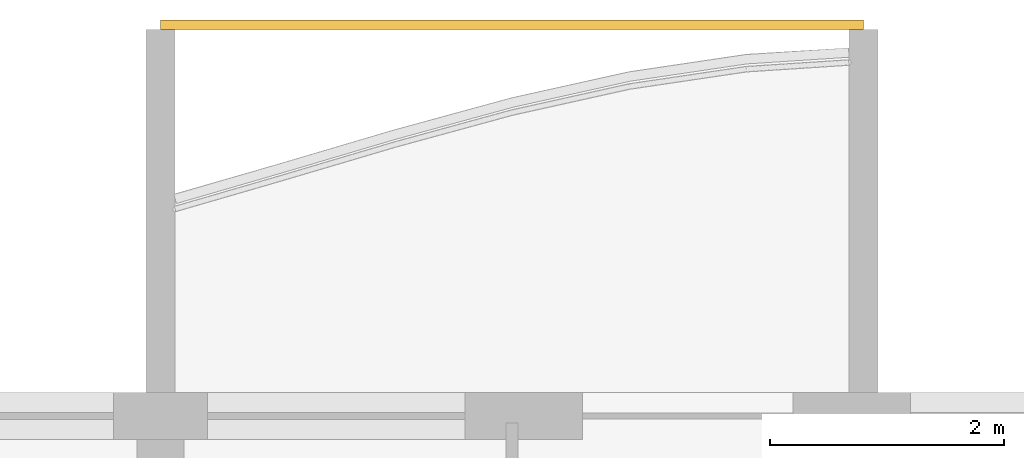
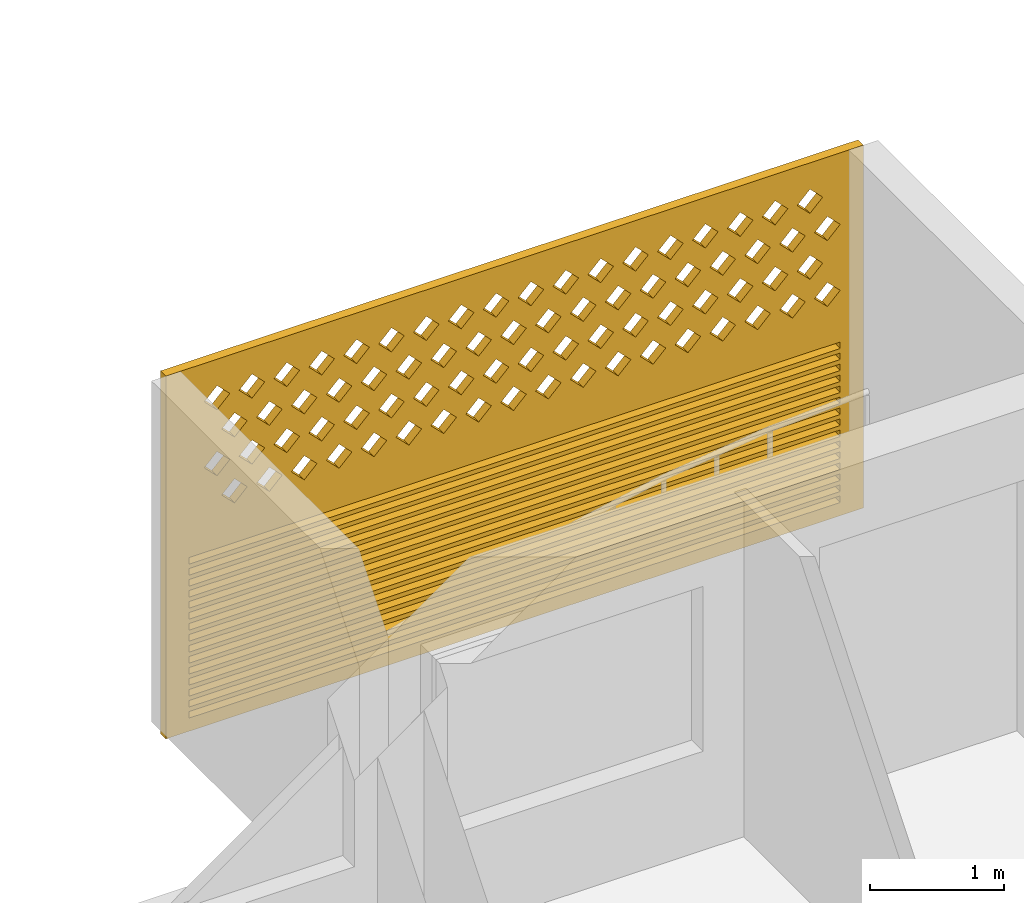
# One storey, part 29 of 38: 1 covering.
"""IFC4 building model written with IfcOpenShell, lengths in metres."""

from ifc_helpers import new_model, si_unit, direction, frame, origin, place, context, subcontext, project, spatial, polyline, outline, extrude, source, transform, mapped, material, material_profile, profile_set, type_object, element, save


model = new_model("IFC4")

# Units and contexts
model_context = context("Model", 3, precision=1e-05, world=origin(), true_north=direction((0.0, 1.0)))
body_context = subcontext(model_context, "Body", "Model", "MODEL_VIEW")
ifc_project = project(units=[si_unit("LENGTHUNIT", "METRE"), si_unit("AREAUNIT", "SQUARE_METRE"), si_unit("VOLUMEUNIT", "CUBIC_METRE"), si_unit("PLANEANGLEUNIT", "RADIAN"), si_unit("MASSUNIT", "GRAM", prefix="KILO")], contexts=[model_context])

# Site, building, storey
site_placement = place(None, origin())
site = spatial("IfcSite", under=ifc_project, at=site_placement, CompositionType="ELEMENT")
building_placement = place(site_placement, origin())
building = spatial("IfcBuilding", under=site, at=building_placement, Name="Poui Terraces", CompositionType="ELEMENT")
storey_placement = place(building_placement, frame((0.0, 0.0, 43.199951171875)))
storey = spatial("IfcBuildingStorey", under=building, at=storey_placement, Name="L11", CompositionType="ELEMENT", Elevation=43.199951171875)

# Covering
ifc_material = material(Name="Terracotta screen", Category="masonry")
ifc_material_profile = material_profile(ifc_material, outline(polyline([(-3.0, -1.64990234375), (3.0, -1.64990234375), (3.0, 1.64990234375), (-3.0, 1.64990234375), (-3.0, -1.64990234375)]), holes=[polyline([(-2.800048828125, 0.39990234375), (-2.68994140625, 0.2900390625), (-2.580078125, 0.39990234375), (-2.68994140625, 0.510009765625), (-2.800048828125, 0.39990234375)]), polyline([(-2.5, 0.39990234375), (-2.389892578125, 0.2900390625), (-2.280029296875, 0.39990234375), (-2.389892578125, 0.510009765625), (-2.5, 0.39990234375)]), polyline([(-2.199951171875, 0.39990234375), (-2.090087890625, 0.2900390625), (-1.97998046875, 0.39990234375), (-2.090087890625, 0.510009765625), (-2.199951171875, 0.39990234375)]), polyline([(-1.89990234375, 0.39990234375), (-1.7900390625, 0.2900390625), (-1.679931640625, 0.39990234375), (-1.7900390625, 0.510009765625), (-1.89990234375, 0.39990234375)]), polyline([(-1.60009765625, 0.39990234375), (-1.489990234375, 0.2900390625), (-1.3798828125, 0.39990234375), (-1.489990234375, 0.510009765625), (-1.60009765625, 0.39990234375)]), polyline([(-1.300048828125, 0.39990234375), (-1.18994140625, 0.2900390625), (-1.080078125, 0.39990234375), (-1.18994140625, 0.510009765625), (-1.300048828125, 0.39990234375)]), polyline([(-1.0, 0.39990234375), (-0.889892578125, 0.2900390625), (-0.780029296875, 0.39990234375), (-0.889892578125, 0.510009765625), (-1.0, 0.39990234375)]), polyline([(-0.699951171875, 0.39990234375), (-0.590087890625, 0.2900390625), (-0.47998046875, 0.39990234375), (-0.590087890625, 0.510009765625), (-0.699951171875, 0.39990234375)]), polyline([(-0.39990234375, 0.39990234375), (-0.2900390625, 0.2900390625), (-0.179931640625, 0.39990234375), (-0.2900390625, 0.510009765625), (-0.39990234375, 0.39990234375)]), polyline([(-0.10009765625, 0.39990234375), (0.010009765625, 0.2900390625), (0.1201171875, 0.39990234375), (0.010009765625, 0.510009765625), (-0.10009765625, 0.39990234375)]), polyline([(0.199951171875, 0.39990234375), (0.31005859375, 0.2900390625), (0.419921875, 0.39990234375), (0.31005859375, 0.510009765625), (0.199951171875, 0.39990234375)]), polyline([(0.5, 0.39990234375), (0.610107421875, 0.2900390625), (0.719970703125, 0.39990234375), (0.610107421875, 0.510009765625), (0.5, 0.39990234375)]), polyline([(0.800048828125, 0.39990234375), (0.909912109375, 0.2900390625), (1.02001953125, 0.39990234375), (0.909912109375, 0.510009765625), (0.800048828125, 0.39990234375)]), polyline([(1.10009765625, 0.39990234375), (1.2099609375, 0.2900390625), (1.320068359375, 0.39990234375), (1.2099609375, 0.510009765625), (1.10009765625, 0.39990234375)]), polyline([(1.39990234375, 0.39990234375), (1.510009765625, 0.2900390625), (1.6201171875, 0.39990234375), (1.510009765625, 0.510009765625), (1.39990234375, 0.39990234375)]), polyline([(1.699951171875, 0.39990234375), (1.81005859375, 0.2900390625), (1.919921875, 0.39990234375), (1.81005859375, 0.510009765625), (1.699951171875, 0.39990234375)]), polyline([(2.0, 0.39990234375), (2.110107421875, 0.2900390625), (2.219970703125, 0.39990234375), (2.110107421875, 0.510009765625), (2.0, 0.39990234375)]), polyline([(2.300048828125, 0.39990234375), (2.409912109375, 0.2900390625), (2.52001953125, 0.39990234375), (2.409912109375, 0.510009765625), (2.300048828125, 0.39990234375)]), polyline([(-2.64990234375, 0.699951171875), (-2.5400390625, 0.590087890625), (-2.429931640625, 0.699951171875), (-2.5400390625, 0.81005859375), (-2.64990234375, 0.699951171875)]), polyline([(-2.35009765625, 0.699951171875), (-2.239990234375, 0.590087890625), (-2.1298828125, 0.699951171875), (-2.239990234375, 0.81005859375), (-2.35009765625, 0.699951171875)]), polyline([(-2.050048828125, 0.699951171875), (-1.93994140625, 0.590087890625), (-1.830078125, 0.699951171875), (-1.93994140625, 0.81005859375), (-2.050048828125, 0.699951171875)]), polyline([(-1.75, 0.699951171875), (-1.639892578125, 0.590087890625), (-1.530029296875, 0.699951171875), (-1.639892578125, 0.81005859375), (-1.75, 0.699951171875)]), polyline([(-1.449951171875, 0.699951171875), (-1.340087890625, 0.590087890625), (-1.22998046875, 0.699951171875), (-1.340087890625, 0.81005859375), (-1.449951171875, 0.699951171875)]), polyline([(-1.14990234375, 0.699951171875), (-1.0400390625, 0.590087890625), (-0.929931640625, 0.699951171875), (-1.0400390625, 0.81005859375), (-1.14990234375, 0.699951171875)]), polyline([(-0.85009765625, 0.699951171875), (-0.739990234375, 0.590087890625), (-0.6298828125, 0.699951171875), (-0.739990234375, 0.81005859375), (-0.85009765625, 0.699951171875)]), polyline([(-0.550048828125, 0.699951171875), (-0.43994140625, 0.590087890625), (-0.330078125, 0.699951171875), (-0.43994140625, 0.81005859375), (-0.550048828125, 0.699951171875)]), polyline([(-0.25, 0.699951171875), (-0.139892578125, 0.590087890625), (-0.030029296875, 0.699951171875), (-0.139892578125, 0.81005859375), (-0.25, 0.699951171875)]), polyline([(0.050048828125, 0.699951171875), (0.159912109375, 0.590087890625), (0.27001953125, 0.699951171875), (0.159912109375, 0.81005859375), (0.050048828125, 0.699951171875)]), polyline([(0.35009765625, 0.699951171875), (0.4599609375, 0.590087890625), (0.570068359375, 0.699951171875), (0.4599609375, 0.81005859375), (0.35009765625, 0.699951171875)]), polyline([(0.64990234375, 0.699951171875), (0.760009765625, 0.590087890625), (0.8701171875, 0.699951171875), (0.760009765625, 0.81005859375), (0.64990234375, 0.699951171875)]), polyline([(0.949951171875, 0.699951171875), (1.06005859375, 0.590087890625), (1.169921875, 0.699951171875), (1.06005859375, 0.81005859375), (0.949951171875, 0.699951171875)]), polyline([(1.25, 0.699951171875), (1.360107421875, 0.590087890625), (1.469970703125, 0.699951171875), (1.360107421875, 0.81005859375), (1.25, 0.699951171875)]), polyline([(1.550048828125, 0.699951171875), (1.659912109375, 0.590087890625), (1.77001953125, 0.699951171875), (1.659912109375, 0.81005859375), (1.550048828125, 0.699951171875)]), polyline([(1.85009765625, 0.699951171875), (1.9599609375, 0.590087890625), (2.070068359375, 0.699951171875), (1.9599609375, 0.81005859375), (1.85009765625, 0.699951171875)]), polyline([(2.14990234375, 0.699951171875), (2.260009765625, 0.590087890625), (2.3701171875, 0.699951171875), (2.260009765625, 0.81005859375), (2.14990234375, 0.699951171875)]), polyline([(2.449951171875, 0.699951171875), (2.56005859375, 0.590087890625), (2.669921875, 0.699951171875), (2.56005859375, 0.81005859375), (2.449951171875, 0.699951171875)]), polyline([(-2.800048828125, 1.0), (-2.68994140625, 0.889892578125), (-2.580078125, 1.0), (-2.68994140625, 1.110107421875), (-2.800048828125, 1.0)]), polyline([(-2.5, 1.0), (-2.389892578125, 0.889892578125), (-2.280029296875, 1.0), (-2.389892578125, 1.110107421875), (-2.5, 1.0)]), polyline([(-2.199951171875, 1.0), (-2.090087890625, 0.889892578125), (-1.97998046875, 1.0), (-2.090087890625, 1.110107421875), (-2.199951171875, 1.0)]), polyline([(-1.89990234375, 1.0), (-1.7900390625, 0.889892578125), (-1.679931640625, 1.0), (-1.7900390625, 1.110107421875), (-1.89990234375, 1.0)]), polyline([(-1.60009765625, 1.0), (-1.489990234375, 0.889892578125), (-1.3798828125, 1.0), (-1.489990234375, 1.110107421875), (-1.60009765625, 1.0)]), polyline([(-1.300048828125, 1.0), (-1.18994140625, 0.889892578125), (-1.080078125, 1.0), (-1.18994140625, 1.110107421875), (-1.300048828125, 1.0)]), polyline([(-1.0, 1.0), (-0.889892578125, 0.889892578125), (-0.780029296875, 1.0), (-0.889892578125, 1.110107421875), (-1.0, 1.0)]), polyline([(-0.699951171875, 1.0), (-0.590087890625, 0.889892578125), (-0.47998046875, 1.0), (-0.590087890625, 1.110107421875), (-0.699951171875, 1.0)]), polyline([(-0.39990234375, 1.0), (-0.2900390625, 0.889892578125), (-0.179931640625, 1.0), (-0.2900390625, 1.110107421875), (-0.39990234375, 1.0)]), polyline([(-0.10009765625, 1.0), (0.010009765625, 0.889892578125), (0.1201171875, 1.0), (0.010009765625, 1.110107421875), (-0.10009765625, 1.0)]), polyline([(0.199951171875, 1.0), (0.31005859375, 0.889892578125), (0.419921875, 1.0), (0.31005859375, 1.110107421875), (0.199951171875, 1.0)]), polyline([(0.5, 1.0), (0.610107421875, 0.889892578125), (0.719970703125, 1.0), (0.610107421875, 1.110107421875), (0.5, 1.0)]), polyline([(0.800048828125, 1.0), (0.909912109375, 0.889892578125), (1.02001953125, 1.0), (0.909912109375, 1.110107421875), (0.800048828125, 1.0)]), polyline([(1.10009765625, 1.0), (1.2099609375, 0.889892578125), (1.320068359375, 1.0), (1.2099609375, 1.110107421875), (1.10009765625, 1.0)]), polyline([(1.39990234375, 1.0), (1.510009765625, 0.889892578125), (1.6201171875, 1.0), (1.510009765625, 1.110107421875), (1.39990234375, 1.0)]), polyline([(1.699951171875, 1.0), (1.81005859375, 0.889892578125), (1.919921875, 1.0), (1.81005859375, 1.110107421875), (1.699951171875, 1.0)]), polyline([(2.0, 1.0), (2.110107421875, 0.889892578125), (2.219970703125, 1.0), (2.110107421875, 1.110107421875), (2.0, 1.0)]), polyline([(2.300048828125, 1.0), (2.409912109375, 0.889892578125), (2.52001953125, 1.0), (2.409912109375, 1.110107421875), (2.300048828125, 1.0)]), polyline([(-2.64990234375, 1.300048828125), (-2.5400390625, 1.18994140625), (-2.429931640625, 1.300048828125), (-2.5400390625, 1.409912109375), (-2.64990234375, 1.300048828125)]), polyline([(-2.35009765625, 1.300048828125), (-2.239990234375, 1.18994140625), (-2.1298828125, 1.300048828125), (-2.239990234375, 1.409912109375), (-2.35009765625, 1.300048828125)]), polyline([(-2.050048828125, 1.300048828125), (-1.93994140625, 1.18994140625), (-1.830078125, 1.300048828125), (-1.93994140625, 1.409912109375), (-2.050048828125, 1.300048828125)]), polyline([(-1.75, 1.300048828125), (-1.639892578125, 1.18994140625), (-1.530029296875, 1.300048828125), (-1.639892578125, 1.409912109375), (-1.75, 1.300048828125)]), polyline([(-1.449951171875, 1.300048828125), (-1.340087890625, 1.18994140625), (-1.22998046875, 1.300048828125), (-1.340087890625, 1.409912109375), (-1.449951171875, 1.300048828125)]), polyline([(-1.14990234375, 1.300048828125), (-1.0400390625, 1.18994140625), (-0.929931640625, 1.300048828125), (-1.0400390625, 1.409912109375), (-1.14990234375, 1.300048828125)]), polyline([(-0.85009765625, 1.300048828125), (-0.739990234375, 1.18994140625), (-0.6298828125, 1.300048828125), (-0.739990234375, 1.409912109375), (-0.85009765625, 1.300048828125)]), polyline([(-0.550048828125, 1.300048828125), (-0.43994140625, 1.18994140625), (-0.330078125, 1.300048828125), (-0.43994140625, 1.409912109375), (-0.550048828125, 1.300048828125)]), polyline([(-0.25, 1.300048828125), (-0.139892578125, 1.18994140625), (-0.030029296875, 1.300048828125), (-0.139892578125, 1.409912109375), (-0.25, 1.300048828125)]), polyline([(0.050048828125, 1.300048828125), (0.159912109375, 1.18994140625), (0.27001953125, 1.300048828125), (0.159912109375, 1.409912109375), (0.050048828125, 1.300048828125)]), polyline([(0.35009765625, 1.300048828125), (0.4599609375, 1.18994140625), (0.570068359375, 1.300048828125), (0.4599609375, 1.409912109375), (0.35009765625, 1.300048828125)]), polyline([(0.64990234375, 1.300048828125), (0.760009765625, 1.18994140625), (0.8701171875, 1.300048828125), (0.760009765625, 1.409912109375), (0.64990234375, 1.300048828125)]), polyline([(0.949951171875, 1.300048828125), (1.06005859375, 1.18994140625), (1.169921875, 1.300048828125), (1.06005859375, 1.409912109375), (0.949951171875, 1.300048828125)]), polyline([(1.25, 1.300048828125), (1.360107421875, 1.18994140625), (1.469970703125, 1.300048828125), (1.360107421875, 1.409912109375), (1.25, 1.300048828125)]), polyline([(1.550048828125, 1.300048828125), (1.659912109375, 1.18994140625), (1.77001953125, 1.300048828125), (1.659912109375, 1.409912109375), (1.550048828125, 1.300048828125)]), polyline([(1.85009765625, 1.300048828125), (1.9599609375, 1.18994140625), (2.070068359375, 1.300048828125), (1.9599609375, 1.409912109375), (1.85009765625, 1.300048828125)]), polyline([(2.14990234375, 1.300048828125), (2.260009765625, 1.18994140625), (2.3701171875, 1.300048828125), (2.260009765625, 1.409912109375), (2.14990234375, 1.300048828125)]), polyline([(2.449951171875, 1.300048828125), (2.56005859375, 1.18994140625), (2.669921875, 1.300048828125), (2.56005859375, 1.409912109375), (2.449951171875, 1.300048828125)]), polyline([(-2.800048828125, -1.530029296875), (2.800048828125, -1.530029296875), (2.800048828125, -1.469970703125), (-2.800048828125, -1.469970703125), (-2.800048828125, -1.530029296875)]), polyline([(-2.800048828125, -1.429931640625), (2.800048828125, -1.429931640625), (2.800048828125, -1.3701171875), (-2.800048828125, -1.3701171875), (-2.800048828125, -1.429931640625)]), polyline([(-2.800048828125, -1.330078125), (2.800048828125, -1.330078125), (2.800048828125, -1.27001953125), (-2.800048828125, -1.27001953125), (-2.800048828125, -1.330078125)]), polyline([(-2.800048828125, -1.22998046875), (2.800048828125, -1.22998046875), (2.800048828125, -1.169921875), (-2.800048828125, -1.169921875), (-2.800048828125, -1.22998046875)]), polyline([(-2.800048828125, -1.1298828125), (2.800048828125, -1.1298828125), (2.800048828125, -1.070068359375), (-2.800048828125, -1.070068359375), (-2.800048828125, -1.1298828125)]), polyline([(-2.800048828125, -1.030029296875), (2.800048828125, -1.030029296875), (2.800048828125, -0.969970703125), (-2.800048828125, -0.969970703125), (-2.800048828125, -1.030029296875)]), polyline([(-2.800048828125, -0.929931640625), (2.800048828125, -0.929931640625), (2.800048828125, -0.8701171875), (-2.800048828125, -0.8701171875), (-2.800048828125, -0.929931640625)]), polyline([(-2.800048828125, -0.830078125), (2.800048828125, -0.830078125), (2.800048828125, -0.77001953125), (-2.800048828125, -0.77001953125), (-2.800048828125, -0.830078125)]), polyline([(-2.800048828125, -0.72998046875), (2.800048828125, -0.72998046875), (2.800048828125, -0.669921875), (-2.800048828125, -0.669921875), (-2.800048828125, -0.72998046875)]), polyline([(-2.800048828125, -0.6298828125), (2.800048828125, -0.6298828125), (2.800048828125, -0.570068359375), (-2.800048828125, -0.570068359375), (-2.800048828125, -0.6298828125)]), polyline([(-2.800048828125, -0.530029296875), (2.800048828125, -0.530029296875), (2.800048828125, -0.469970703125), (-2.800048828125, -0.469970703125), (-2.800048828125, -0.530029296875)]), polyline([(-2.800048828125, -0.429931640625), (2.800048828125, -0.429931640625), (2.800048828125, -0.3701171875), (-2.800048828125, -0.3701171875), (-2.800048828125, -0.429931640625)]), polyline([(-2.800048828125, -0.330078125), (2.800048828125, -0.330078125), (2.800048828125, -0.27001953125), (-2.800048828125, -0.27001953125), (-2.800048828125, -0.330078125)]), polyline([(-2.800048828125, -0.22998046875), (2.800048828125, -0.22998046875), (2.800048828125, -0.169921875), (-2.800048828125, -0.169921875), (-2.800048828125, -0.22998046875)]), polyline([(-2.800048828125, -0.1298828125), (2.800048828125, -0.1298828125), (2.800048828125, -0.070068359375), (-2.800048828125, -0.070068359375), (-2.800048828125, -0.1298828125)])]), Name="TERRACOTTA SCREEN AND JALOUSIE LOUVRE 6000X3300")
ifc_profile_set = profile_set([ifc_material_profile], Name="Terracotta screen")
covering_type = type_object("IfcCoveringType", Name="TERRACOTTA SCREEN AND JALOUSIE LOUVRE 6000X3300", PredefinedType="CLADDING", material=ifc_profile_set)
shared_shape = source(origin(), body_context, "Body", "SweptSolid", [
    extrude(outline(polyline([(-3.0, -1.64990234375), (3.0, -1.64990234375), (3.0, 1.64990234375), (-3.0, 1.64990234375), (-3.0, -1.64990234375)]), holes=[polyline([(-2.800048828125, 0.39990234375), (-2.68994140625, 0.2900390625), (-2.580078125, 0.39990234375), (-2.68994140625, 0.510009765625), (-2.800048828125, 0.39990234375)]), polyline([(-2.5, 0.39990234375), (-2.389892578125, 0.2900390625), (-2.280029296875, 0.39990234375), (-2.389892578125, 0.510009765625), (-2.5, 0.39990234375)]), polyline([(-2.199951171875, 0.39990234375), (-2.090087890625, 0.2900390625), (-1.97998046875, 0.39990234375), (-2.090087890625, 0.510009765625), (-2.199951171875, 0.39990234375)]), polyline([(-1.89990234375, 0.39990234375), (-1.7900390625, 0.2900390625), (-1.679931640625, 0.39990234375), (-1.7900390625, 0.510009765625), (-1.89990234375, 0.39990234375)]), polyline([(-1.60009765625, 0.39990234375), (-1.489990234375, 0.2900390625), (-1.3798828125, 0.39990234375), (-1.489990234375, 0.510009765625), (-1.60009765625, 0.39990234375)]), polyline([(-1.300048828125, 0.39990234375), (-1.18994140625, 0.2900390625), (-1.080078125, 0.39990234375), (-1.18994140625, 0.510009765625), (-1.300048828125, 0.39990234375)]), polyline([(-1.0, 0.39990234375), (-0.889892578125, 0.2900390625), (-0.780029296875, 0.39990234375), (-0.889892578125, 0.510009765625), (-1.0, 0.39990234375)]), polyline([(-0.699951171875, 0.39990234375), (-0.590087890625, 0.2900390625), (-0.47998046875, 0.39990234375), (-0.590087890625, 0.510009765625), (-0.699951171875, 0.39990234375)]), polyline([(-0.39990234375, 0.39990234375), (-0.2900390625, 0.2900390625), (-0.179931640625, 0.39990234375), (-0.2900390625, 0.510009765625), (-0.39990234375, 0.39990234375)]), polyline([(-0.10009765625, 0.39990234375), (0.010009765625, 0.2900390625), (0.1201171875, 0.39990234375), (0.010009765625, 0.510009765625), (-0.10009765625, 0.39990234375)]), polyline([(0.199951171875, 0.39990234375), (0.31005859375, 0.2900390625), (0.419921875, 0.39990234375), (0.31005859375, 0.510009765625), (0.199951171875, 0.39990234375)]), polyline([(0.5, 0.39990234375), (0.610107421875, 0.2900390625), (0.719970703125, 0.39990234375), (0.610107421875, 0.510009765625), (0.5, 0.39990234375)]), polyline([(0.800048828125, 0.39990234375), (0.909912109375, 0.2900390625), (1.02001953125, 0.39990234375), (0.909912109375, 0.510009765625), (0.800048828125, 0.39990234375)]), polyline([(1.10009765625, 0.39990234375), (1.2099609375, 0.2900390625), (1.320068359375, 0.39990234375), (1.2099609375, 0.510009765625), (1.10009765625, 0.39990234375)]), polyline([(1.39990234375, 0.39990234375), (1.510009765625, 0.2900390625), (1.6201171875, 0.39990234375), (1.510009765625, 0.510009765625), (1.39990234375, 0.39990234375)]), polyline([(1.699951171875, 0.39990234375), (1.81005859375, 0.2900390625), (1.919921875, 0.39990234375), (1.81005859375, 0.510009765625), (1.699951171875, 0.39990234375)]), polyline([(2.0, 0.39990234375), (2.110107421875, 0.2900390625), (2.219970703125, 0.39990234375), (2.110107421875, 0.510009765625), (2.0, 0.39990234375)]), polyline([(2.300048828125, 0.39990234375), (2.409912109375, 0.2900390625), (2.52001953125, 0.39990234375), (2.409912109375, 0.510009765625), (2.300048828125, 0.39990234375)]), polyline([(-2.64990234375, 0.699951171875), (-2.5400390625, 0.590087890625), (-2.429931640625, 0.699951171875), (-2.5400390625, 0.81005859375), (-2.64990234375, 0.699951171875)]), polyline([(-2.35009765625, 0.699951171875), (-2.239990234375, 0.590087890625), (-2.1298828125, 0.699951171875), (-2.239990234375, 0.81005859375), (-2.35009765625, 0.699951171875)]), polyline([(-2.050048828125, 0.699951171875), (-1.93994140625, 0.590087890625), (-1.830078125, 0.699951171875), (-1.93994140625, 0.81005859375), (-2.050048828125, 0.699951171875)]), polyline([(-1.75, 0.699951171875), (-1.639892578125, 0.590087890625), (-1.530029296875, 0.699951171875), (-1.639892578125, 0.81005859375), (-1.75, 0.699951171875)]), polyline([(-1.449951171875, 0.699951171875), (-1.340087890625, 0.590087890625), (-1.22998046875, 0.699951171875), (-1.340087890625, 0.81005859375), (-1.449951171875, 0.699951171875)]), polyline([(-1.14990234375, 0.699951171875), (-1.0400390625, 0.590087890625), (-0.929931640625, 0.699951171875), (-1.0400390625, 0.81005859375), (-1.14990234375, 0.699951171875)]), polyline([(-0.85009765625, 0.699951171875), (-0.739990234375, 0.590087890625), (-0.6298828125, 0.699951171875), (-0.739990234375, 0.81005859375), (-0.85009765625, 0.699951171875)]), polyline([(-0.550048828125, 0.699951171875), (-0.43994140625, 0.590087890625), (-0.330078125, 0.699951171875), (-0.43994140625, 0.81005859375), (-0.550048828125, 0.699951171875)]), polyline([(-0.25, 0.699951171875), (-0.139892578125, 0.590087890625), (-0.030029296875, 0.699951171875), (-0.139892578125, 0.81005859375), (-0.25, 0.699951171875)]), polyline([(0.050048828125, 0.699951171875), (0.159912109375, 0.590087890625), (0.27001953125, 0.699951171875), (0.159912109375, 0.81005859375), (0.050048828125, 0.699951171875)]), polyline([(0.35009765625, 0.699951171875), (0.4599609375, 0.590087890625), (0.570068359375, 0.699951171875), (0.4599609375, 0.81005859375), (0.35009765625, 0.699951171875)]), polyline([(0.64990234375, 0.699951171875), (0.760009765625, 0.590087890625), (0.8701171875, 0.699951171875), (0.760009765625, 0.81005859375), (0.64990234375, 0.699951171875)]), polyline([(0.949951171875, 0.699951171875), (1.06005859375, 0.590087890625), (1.169921875, 0.699951171875), (1.06005859375, 0.81005859375), (0.949951171875, 0.699951171875)]), polyline([(1.25, 0.699951171875), (1.360107421875, 0.590087890625), (1.469970703125, 0.699951171875), (1.360107421875, 0.81005859375), (1.25, 0.699951171875)]), polyline([(1.550048828125, 0.699951171875), (1.659912109375, 0.590087890625), (1.77001953125, 0.699951171875), (1.659912109375, 0.81005859375), (1.550048828125, 0.699951171875)]), polyline([(1.85009765625, 0.699951171875), (1.9599609375, 0.590087890625), (2.070068359375, 0.699951171875), (1.9599609375, 0.81005859375), (1.85009765625, 0.699951171875)]), polyline([(2.14990234375, 0.699951171875), (2.260009765625, 0.590087890625), (2.3701171875, 0.699951171875), (2.260009765625, 0.81005859375), (2.14990234375, 0.699951171875)]), polyline([(2.449951171875, 0.699951171875), (2.56005859375, 0.590087890625), (2.669921875, 0.699951171875), (2.56005859375, 0.81005859375), (2.449951171875, 0.699951171875)]), polyline([(-2.800048828125, 1.0), (-2.68994140625, 0.889892578125), (-2.580078125, 1.0), (-2.68994140625, 1.110107421875), (-2.800048828125, 1.0)]), polyline([(-2.5, 1.0), (-2.389892578125, 0.889892578125), (-2.280029296875, 1.0), (-2.389892578125, 1.110107421875), (-2.5, 1.0)]), polyline([(-2.199951171875, 1.0), (-2.090087890625, 0.889892578125), (-1.97998046875, 1.0), (-2.090087890625, 1.110107421875), (-2.199951171875, 1.0)]), polyline([(-1.89990234375, 1.0), (-1.7900390625, 0.889892578125), (-1.679931640625, 1.0), (-1.7900390625, 1.110107421875), (-1.89990234375, 1.0)]), polyline([(-1.60009765625, 1.0), (-1.489990234375, 0.889892578125), (-1.3798828125, 1.0), (-1.489990234375, 1.110107421875), (-1.60009765625, 1.0)]), polyline([(-1.300048828125, 1.0), (-1.18994140625, 0.889892578125), (-1.080078125, 1.0), (-1.18994140625, 1.110107421875), (-1.300048828125, 1.0)]), polyline([(-1.0, 1.0), (-0.889892578125, 0.889892578125), (-0.780029296875, 1.0), (-0.889892578125, 1.110107421875), (-1.0, 1.0)]), polyline([(-0.699951171875, 1.0), (-0.590087890625, 0.889892578125), (-0.47998046875, 1.0), (-0.590087890625, 1.110107421875), (-0.699951171875, 1.0)]), polyline([(-0.39990234375, 1.0), (-0.2900390625, 0.889892578125), (-0.179931640625, 1.0), (-0.2900390625, 1.110107421875), (-0.39990234375, 1.0)]), polyline([(-0.10009765625, 1.0), (0.010009765625, 0.889892578125), (0.1201171875, 1.0), (0.010009765625, 1.110107421875), (-0.10009765625, 1.0)]), polyline([(0.199951171875, 1.0), (0.31005859375, 0.889892578125), (0.419921875, 1.0), (0.31005859375, 1.110107421875), (0.199951171875, 1.0)]), polyline([(0.5, 1.0), (0.610107421875, 0.889892578125), (0.719970703125, 1.0), (0.610107421875, 1.110107421875), (0.5, 1.0)]), polyline([(0.800048828125, 1.0), (0.909912109375, 0.889892578125), (1.02001953125, 1.0), (0.909912109375, 1.110107421875), (0.800048828125, 1.0)]), polyline([(1.10009765625, 1.0), (1.2099609375, 0.889892578125), (1.320068359375, 1.0), (1.2099609375, 1.110107421875), (1.10009765625, 1.0)]), polyline([(1.39990234375, 1.0), (1.510009765625, 0.889892578125), (1.6201171875, 1.0), (1.510009765625, 1.110107421875), (1.39990234375, 1.0)]), polyline([(1.699951171875, 1.0), (1.81005859375, 0.889892578125), (1.919921875, 1.0), (1.81005859375, 1.110107421875), (1.699951171875, 1.0)]), polyline([(2.0, 1.0), (2.110107421875, 0.889892578125), (2.219970703125, 1.0), (2.110107421875, 1.110107421875), (2.0, 1.0)]), polyline([(2.300048828125, 1.0), (2.409912109375, 0.889892578125), (2.52001953125, 1.0), (2.409912109375, 1.110107421875), (2.300048828125, 1.0)]), polyline([(-2.64990234375, 1.300048828125), (-2.5400390625, 1.18994140625), (-2.429931640625, 1.300048828125), (-2.5400390625, 1.409912109375), (-2.64990234375, 1.300048828125)]), polyline([(-2.35009765625, 1.300048828125), (-2.239990234375, 1.18994140625), (-2.1298828125, 1.300048828125), (-2.239990234375, 1.409912109375), (-2.35009765625, 1.300048828125)]), polyline([(-2.050048828125, 1.300048828125), (-1.93994140625, 1.18994140625), (-1.830078125, 1.300048828125), (-1.93994140625, 1.409912109375), (-2.050048828125, 1.300048828125)]), polyline([(-1.75, 1.300048828125), (-1.639892578125, 1.18994140625), (-1.530029296875, 1.300048828125), (-1.639892578125, 1.409912109375), (-1.75, 1.300048828125)]), polyline([(-1.449951171875, 1.300048828125), (-1.340087890625, 1.18994140625), (-1.22998046875, 1.300048828125), (-1.340087890625, 1.409912109375), (-1.449951171875, 1.300048828125)]), polyline([(-1.14990234375, 1.300048828125), (-1.0400390625, 1.18994140625), (-0.929931640625, 1.300048828125), (-1.0400390625, 1.409912109375), (-1.14990234375, 1.300048828125)]), polyline([(-0.85009765625, 1.300048828125), (-0.739990234375, 1.18994140625), (-0.6298828125, 1.300048828125), (-0.739990234375, 1.409912109375), (-0.85009765625, 1.300048828125)]), polyline([(-0.550048828125, 1.300048828125), (-0.43994140625, 1.18994140625), (-0.330078125, 1.300048828125), (-0.43994140625, 1.409912109375), (-0.550048828125, 1.300048828125)]), polyline([(-0.25, 1.300048828125), (-0.139892578125, 1.18994140625), (-0.030029296875, 1.300048828125), (-0.139892578125, 1.409912109375), (-0.25, 1.300048828125)]), polyline([(0.050048828125, 1.300048828125), (0.159912109375, 1.18994140625), (0.27001953125, 1.300048828125), (0.159912109375, 1.409912109375), (0.050048828125, 1.300048828125)]), polyline([(0.35009765625, 1.300048828125), (0.4599609375, 1.18994140625), (0.570068359375, 1.300048828125), (0.4599609375, 1.409912109375), (0.35009765625, 1.300048828125)]), polyline([(0.64990234375, 1.300048828125), (0.760009765625, 1.18994140625), (0.8701171875, 1.300048828125), (0.760009765625, 1.409912109375), (0.64990234375, 1.300048828125)]), polyline([(0.949951171875, 1.300048828125), (1.06005859375, 1.18994140625), (1.169921875, 1.300048828125), (1.06005859375, 1.409912109375), (0.949951171875, 1.300048828125)]), polyline([(1.25, 1.300048828125), (1.360107421875, 1.18994140625), (1.469970703125, 1.300048828125), (1.360107421875, 1.409912109375), (1.25, 1.300048828125)]), polyline([(1.550048828125, 1.300048828125), (1.659912109375, 1.18994140625), (1.77001953125, 1.300048828125), (1.659912109375, 1.409912109375), (1.550048828125, 1.300048828125)]), polyline([(1.85009765625, 1.300048828125), (1.9599609375, 1.18994140625), (2.070068359375, 1.300048828125), (1.9599609375, 1.409912109375), (1.85009765625, 1.300048828125)]), polyline([(2.14990234375, 1.300048828125), (2.260009765625, 1.18994140625), (2.3701171875, 1.300048828125), (2.260009765625, 1.409912109375), (2.14990234375, 1.300048828125)]), polyline([(2.449951171875, 1.300048828125), (2.56005859375, 1.18994140625), (2.669921875, 1.300048828125), (2.56005859375, 1.409912109375), (2.449951171875, 1.300048828125)]), polyline([(-2.800048828125, -1.530029296875), (2.800048828125, -1.530029296875), (2.800048828125, -1.469970703125), (-2.800048828125, -1.469970703125), (-2.800048828125, -1.530029296875)]), polyline([(-2.800048828125, -1.429931640625), (2.800048828125, -1.429931640625), (2.800048828125, -1.3701171875), (-2.800048828125, -1.3701171875), (-2.800048828125, -1.429931640625)]), polyline([(-2.800048828125, -1.330078125), (2.800048828125, -1.330078125), (2.800048828125, -1.27001953125), (-2.800048828125, -1.27001953125), (-2.800048828125, -1.330078125)]), polyline([(-2.800048828125, -1.22998046875), (2.800048828125, -1.22998046875), (2.800048828125, -1.169921875), (-2.800048828125, -1.169921875), (-2.800048828125, -1.22998046875)]), polyline([(-2.800048828125, -1.1298828125), (2.800048828125, -1.1298828125), (2.800048828125, -1.070068359375), (-2.800048828125, -1.070068359375), (-2.800048828125, -1.1298828125)]), polyline([(-2.800048828125, -1.030029296875), (2.800048828125, -1.030029296875), (2.800048828125, -0.969970703125), (-2.800048828125, -0.969970703125), (-2.800048828125, -1.030029296875)]), polyline([(-2.800048828125, -0.929931640625), (2.800048828125, -0.929931640625), (2.800048828125, -0.8701171875), (-2.800048828125, -0.8701171875), (-2.800048828125, -0.929931640625)]), polyline([(-2.800048828125, -0.830078125), (2.800048828125, -0.830078125), (2.800048828125, -0.77001953125), (-2.800048828125, -0.77001953125), (-2.800048828125, -0.830078125)]), polyline([(-2.800048828125, -0.72998046875), (2.800048828125, -0.72998046875), (2.800048828125, -0.669921875), (-2.800048828125, -0.669921875), (-2.800048828125, -0.72998046875)]), polyline([(-2.800048828125, -0.6298828125), (2.800048828125, -0.6298828125), (2.800048828125, -0.570068359375), (-2.800048828125, -0.570068359375), (-2.800048828125, -0.6298828125)]), polyline([(-2.800048828125, -0.530029296875), (2.800048828125, -0.530029296875), (2.800048828125, -0.469970703125), (-2.800048828125, -0.469970703125), (-2.800048828125, -0.530029296875)]), polyline([(-2.800048828125, -0.429931640625), (2.800048828125, -0.429931640625), (2.800048828125, -0.3701171875), (-2.800048828125, -0.3701171875), (-2.800048828125, -0.429931640625)]), polyline([(-2.800048828125, -0.330078125), (2.800048828125, -0.330078125), (2.800048828125, -0.27001953125), (-2.800048828125, -0.27001953125), (-2.800048828125, -0.330078125)]), polyline([(-2.800048828125, -0.22998046875), (2.800048828125, -0.22998046875), (2.800048828125, -0.169921875), (-2.800048828125, -0.169921875), (-2.800048828125, -0.22998046875)]), polyline([(-2.800048828125, -0.1298828125), (2.800048828125, -0.1298828125), (2.800048828125, -0.070068359375), (-2.800048828125, -0.070068359375), (-2.800048828125, -0.1298828125)])]), origin(), (0.0, 0.0, 1.0), 0.079833984375),
])
covering_placement = place(storey_placement, frame((57.0, 48.10009765625, 1.449951171875), z_axis=(0.0, 1.0, 0.0), x_axis=(-1.0, 0.0, 0.0)))
element("IfcCovering", 1, at=covering_placement, inside=storey, type_object=covering_type, Name="SOLAR SCREEN AND JALOUSIE LOUVRE", PredefinedType="CLADDING", context=body_context, shape_type="MappedRepresentation", body=[
    mapped(shared_shape, transform((0.0, 0.0, 0.0))),
])

save(model, "model.ifc")
